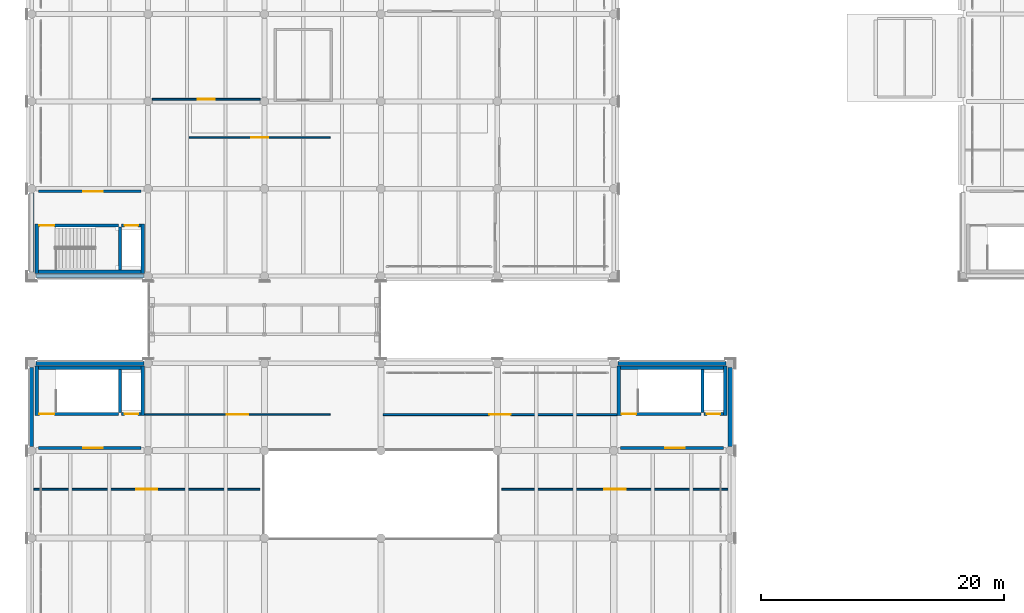
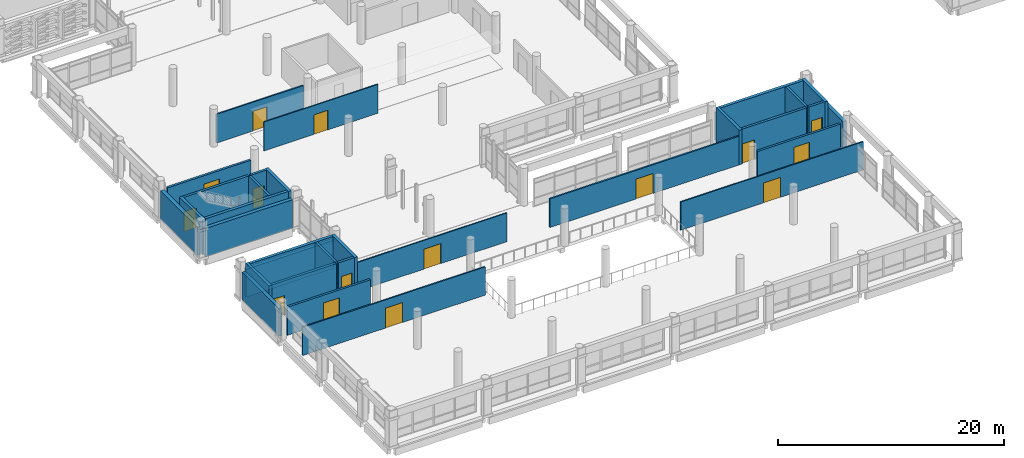
# One storey, part 151 of 180: 33 walls, 15 doors, 15 openings.
"""IFC4 building model written with IfcOpenShell, lengths in metres."""

from ifc_helpers import new_model, si_unit, direction, frame, frame_2d, origin, place, context, subcontext, project, spatial, rectangle, extrude, material, layer, layer_set, type_object, element, fill, save


model = new_model("IFC4")

# Units and contexts
model_context = context("Model", 3, precision=1e-05, world=origin(), true_north=direction((0.0, 1.0)))
body_context = subcontext(model_context, "Body", "Model", "MODEL_VIEW")
ifc_project = project(units=[si_unit("LENGTHUNIT", "METRE"), si_unit("AREAUNIT", "SQUARE_METRE"), si_unit("VOLUMEUNIT", "CUBIC_METRE"), si_unit("PLANEANGLEUNIT", "RADIAN"), si_unit("MASSUNIT", "GRAM", prefix="KILO")], contexts=[model_context])

# Site, building, storey
site_placement = place(None, origin())
site = spatial("IfcSite", under=ifc_project, at=site_placement, CompositionType="ELEMENT")
building_placement = place(site_placement, origin())
building = spatial("IfcBuilding", under=site, at=building_placement, Name="Asteropetra Specialist Clinic", CompositionType="ELEMENT")
storey_placement = place(building_placement, frame((0.0, 0.0, 4.419921875)))
storey = spatial("IfcBuildingStorey", under=building, at=storey_placement, Name="L01", CompositionType="ELEMENT", Elevation=4.419921875)

# Walls
ifc_material_1 = material(Name="Pentelic marble ashlar", Category="masonry")
ifc_layer_1 = layer(ifc_material_1, 0.360107421875)
ifc_layer_set_1 = layer_set([ifc_layer_1], Name="Pentelic marble ashlar")
wall_type_1 = type_object("IfcWallType", Name="EW-PENTELIC-360", PredefinedType="SOLIDWALL", material=ifc_layer_set_1)
wall_1_placement = place(storey_placement, frame((0.35009765625, 33.60009765625, 0.0), z_axis=(0.0, 0.0, 1.0), x_axis=(1.0, 0.0, 0.0)))
element("IfcWall", 1, at=wall_1_placement, inside=storey, type_object=wall_type_1, Name="Exterior Wall EW-0164", PredefinedType="SOLIDWALL", context=body_context, shape_type="SweptSolid", body=[
    extrude(rectangle(XDim=8.89990234375, YDim=0.360107421875, at=frame_2d((4.449951171875, 0.0))), origin(), (0.0, 0.0, 1.0), 3.06005859375),
])
wall_2_placement = place(storey_placement, frame((0.0, 40.449951171875, 0.0), z_axis=(0.0, 0.0, 1.0), x_axis=(0.0, -1.0, 0.0)))
element("IfcWall", 2, at=wall_2_placement, inside=storey, type_object=wall_type_1, Name="Exterior Wall EW-0166", PredefinedType="SOLIDWALL", context=body_context, shape_type="SweptSolid", body=[
    extrude(rectangle(XDim=6.5, YDim=0.360107421875, at=frame_2d((3.25, 0.0))), origin(), (0.0, 0.0, 1.0), 3.06005859375),
])
ifc_material_2 = material(Name="Piraeus poros limestone", Category="masonry")
ifc_layer_2 = layer(ifc_material_2, 0.340087890625)
ifc_layer_set_2 = layer_set([ifc_layer_2], Name="Piraeus poros limestone")
wall_type_2 = type_object("IfcWallType", Name="EW-POROS-340", PredefinedType="SOLIDWALL", material=ifc_layer_set_2)
for number, where, z_axis, x_axis, name in (
    (3, (9.25, 26.39990234375, 0.0), (0.0, 0.0, 1.0), (-1.0, 0.0, 0.0), "Exterior Wall EW-0037"),
    (4, (57.25, 26.39990234375, 0.0), (0.0, 0.0, 1.0), (-1.0, 0.0, 0.0), "Exterior Wall EW-0038"),
):
    element("IfcWall", number, at=place(storey_placement, frame(where, z_axis=z_axis, x_axis=x_axis)), inside=storey, type_object=wall_type_2, Name=name, PredefinedType="SOLIDWALL", context=body_context, shape_type="SweptSolid", body=[
        extrude(rectangle(XDim=8.89990234375, YDim=0.340087890625, at=frame_2d((4.449951171875, 0.0))), origin(), (0.0, 0.0, 1.0), 3.010009765625),
    ])
for number, where, z_axis, x_axis, name in (
    (5, (0.0, 26.050048828125, 0.0), (0.0, 0.0, 1.0), (0.0, -1.0, 0.0), "Exterior Wall EW-0039"),
    (6, (57.60009765625, 19.550048828125, 0.0), (0.0, 0.0, 1.0), (0.0, 1.0, 0.0), "Exterior Wall EW-0040"),
):
    element("IfcWall", number, at=place(storey_placement, frame(where, z_axis=z_axis, x_axis=x_axis)), inside=storey, type_object=wall_type_2, Name=name, PredefinedType="SOLIDWALL", context=body_context, shape_type="SweptSolid", body=[
        extrude(rectangle(XDim=6.5, YDim=0.340087890625, at=frame_2d((3.25, 0.0))), origin(), (0.0, 0.0, 1.0), 3.010009765625),
    ])

# Wall, opening, door
ifc_material_3 = material(Name="Fire-rated masonry and gypsum", Category="masonry")
ifc_layer_3 = layer(ifc_material_3, 0.219970703125)
ifc_layer_set_3 = layer_set([ifc_layer_3], Name="Fire-rated masonry and gypsum")
wall_type_3 = type_object("IfcWallType", Name="W-COMP-220", PredefinedType="PARTITIONING", material=ifc_layer_set_3)
wall_3_placement = place(storey_placement, frame((0.56005859375, 40.580078125, 0.0), z_axis=(0.0, 0.0, 1.0), x_axis=(1.0, 0.0, 0.0)))
wall_3 = element("IfcWall", 7, at=wall_3_placement, inside=storey, type_object=wall_type_3, Name="Core Wall CW-C4-L01-LOB", PredefinedType="PARTITIONING", context=body_context, shape_type="SweptSolid", body=[
    extrude(rectangle(XDim=8.47998046875, YDim=0.219970703125, at=frame_2d((4.239990234375, 0.0))), origin(), (0.0, 0.0, 1.0), 3.110107421875),
])
opening_1_placement = place(wall_3_placement, frame((3.699951171875, 0.0, 0.0)))
opening_1 = element("IfcOpeningElement", 8, at=opening_1_placement, cuts=wall_3, Name="Opening FD-038", PredefinedType="OPENING", context=body_context, shape_type="SweptSolid", body=[
    extrude(rectangle(XDim=1.60009765625, YDim=2.199951171875, at=frame_2d((0.800048828125, 1.10009765625))), frame((0.0, 0.119873046875, 0.0), z_axis=(0.0, -1.0, 0.0), x_axis=(1.0, 0.0, 0.0)), (0.0, 0.0, 1.0), 0.239990234375),
])
ifc_material_4 = material(Name="Fire-rated steel and vision glass door", Category="steel")
door_type_1 = type_object("IfcDoorType", Name="FD-LOBBY-1600", OperationType="DOUBLE_DOOR_SINGLE_SWING", PredefinedType="DOOR", material=ifc_material_4)
door_1_placement = place(opening_1_placement, origin())
door_1 = element("IfcDoor", 9, at=door_1_placement, inside=storey, type_object=door_type_1, Name="Lobby Fire Door FD-038", OperationType="DOUBLE_DOOR_SINGLE_SWING", OverallHeight=2.199951171875, OverallWidth=1.60009765625, PredefinedType="DOOR", context=body_context, shape_type="SweptSolid", body=[
    extrude(rectangle(XDim=1.60009765625, YDim=2.199951171875, at=frame_2d((0.800048828125, 1.10009765625))), frame((0.0, 0.02490234375, 0.0), z_axis=(0.0, -1.0, 0.0), x_axis=(1.0, 0.0, 0.0)), (0.0, 0.0, 1.0), 0.050048828125),
])
fill(opening_1, door_1)

wall_4_placement = place(storey_placement, frame((0.56005859375, 19.419921875, 0.0), z_axis=(0.0, 0.0, 1.0), x_axis=(1.0, 0.0, 0.0)))
wall_4 = element("IfcWall", 10, at=wall_4_placement, inside=storey, type_object=wall_type_3, Name="Core Wall CW-C6-L01-LOB", PredefinedType="PARTITIONING", context=body_context, shape_type="SweptSolid", body=[
    extrude(rectangle(XDim=8.47998046875, YDim=0.219970703125, at=frame_2d((4.239990234375, 0.0))), origin(), (0.0, 0.0, 1.0), 3.050048828125),
])
opening_2_placement = place(wall_4_placement, frame((3.699951171875, 0.0, 0.0)))
opening_2 = element("IfcOpeningElement", 11, at=opening_2_placement, cuts=wall_4, Name="Opening FD-058", PredefinedType="OPENING", context=body_context, shape_type="SweptSolid", body=[
    extrude(rectangle(XDim=1.60009765625, YDim=2.199951171875, at=frame_2d((0.800048828125, 1.10009765625))), frame((0.0, 0.119873046875, 0.0), z_axis=(0.0, -1.0, 0.0), x_axis=(1.0, 0.0, 0.0)), (0.0, 0.0, 1.0), 0.239990234375),
])
door_2_placement = place(opening_2_placement, origin())
door_2 = element("IfcDoor", 12, at=door_2_placement, inside=storey, type_object=door_type_1, Name="Lobby Fire Door FD-058", OperationType="DOUBLE_DOOR_SINGLE_SWING", OverallHeight=2.199951171875, OverallWidth=1.60009765625, PredefinedType="DOOR", context=body_context, shape_type="SweptSolid", body=[
    extrude(rectangle(XDim=1.60009765625, YDim=2.199951171875, at=frame_2d((0.800048828125, 1.10009765625))), frame((0.0, 0.02490234375, 0.0), z_axis=(0.0, -1.0, 0.0), x_axis=(1.0, 0.0, 0.0)), (0.0, 0.0, 1.0), 0.050048828125),
])
fill(opening_2, door_2)

wall_5_placement = place(storey_placement, frame((48.56005859375, 19.419921875, 0.0), z_axis=(0.0, 0.0, 1.0), x_axis=(1.0, 0.0, 0.0)))
wall_5 = element("IfcWall", 13, at=wall_5_placement, inside=storey, type_object=wall_type_3, Name="Core Wall CW-C7-L01-LOB", PredefinedType="PARTITIONING", context=body_context, shape_type="SweptSolid", body=[
    extrude(rectangle(XDim=8.47998046875, YDim=0.219970703125, at=frame_2d((4.239990234375, 0.0))), origin(), (0.0, 0.0, 1.0), 3.050048828125),
])
opening_3_placement = place(wall_5_placement, frame((3.699951171875, 0.0, 0.0)))
opening_3 = element("IfcOpeningElement", 14, at=opening_3_placement, cuts=wall_5, Name="Opening FD-064", PredefinedType="OPENING", context=body_context, shape_type="SweptSolid", body=[
    extrude(rectangle(XDim=1.60009765625, YDim=2.199951171875, at=frame_2d((0.800048828125, 1.10009765625))), frame((0.0, 0.119873046875, 0.0), z_axis=(0.0, -1.0, 0.0), x_axis=(1.0, 0.0, 0.0)), (0.0, 0.0, 1.0), 0.239990234375),
])
door_3_placement = place(opening_3_placement, origin())
door_3 = element("IfcDoor", 15, at=door_3_placement, inside=storey, type_object=door_type_1, Name="Lobby Fire Door FD-064", OperationType="DOUBLE_DOOR_SINGLE_SWING", OverallHeight=2.199951171875, OverallWidth=1.60009765625, PredefinedType="DOOR", context=body_context, shape_type="SweptSolid", body=[
    extrude(rectangle(XDim=1.60009765625, YDim=2.199951171875, at=frame_2d((0.800048828125, 1.10009765625))), frame((0.0, 0.02490234375, 0.0), z_axis=(0.0, -1.0, 0.0), x_axis=(1.0, 0.0, 0.0)), (0.0, 0.0, 1.0), 0.050048828125),
])
fill(opening_3, door_3)

# Walls
ifc_material_5 = material(Name="Concrete C35/45", Category="concrete")
ifc_layer_4 = layer(ifc_material_5, 0.300048828125)
ifc_layer_set_4 = layer_set([ifc_layer_4], Name="Concrete C35/45")
wall_type_4 = type_object("IfcWallType", Name="W-CORE-300", PredefinedType="SHEAR", material=ifc_layer_set_4)
for number, where, z_axis, x_axis, name in (
    (16, (0.419921875, 33.81005859375, 0.0), (0.0, 0.0, 1.0), (0.0, 1.0, 0.0), "Core Wall CW-C4-L01-W"),
    (17, (9.179931640625, 33.81005859375, 0.0), (0.0, 0.0, 1.0), (0.0, 1.0, 0.0), "Core Wall CW-C4-L01-E"),
):
    element("IfcWall", number, at=place(storey_placement, frame(where, z_axis=z_axis, x_axis=x_axis)), inside=storey, type_object=wall_type_4, Name=name, PredefinedType="SHEAR", context=body_context, shape_type="SweptSolid", body=[
        extrude(rectangle(XDim=4.099853515625, YDim=0.300048828125, at=frame_2d((2.0498046875, 0.0))), origin(), (0.0, 0.0, 1.0), 3.780029296875),
    ])
wall_6_placement = place(storey_placement, frame((0.56494140625, 33.9599609375, 0.0), z_axis=(0.0, 0.0, 1.0), x_axis=(1.0, 0.0, 0.0)))
element("IfcWall", 18, at=wall_6_placement, inside=storey, type_object=wall_type_4, Name="Core Wall CW-C4-L01-BACK", PredefinedType="SHEAR", context=body_context, shape_type="SweptSolid", body=[
    extrude(rectangle(XDim=8.469970703125, YDim=0.300048828125, at=frame_2d((4.23486328125, 0.0))), origin(), (0.0, 0.0, 1.0), 3.780029296875),
])
for number, where, z_axis, x_axis, name in (
    (19, (0.419921875, 22.090087890625, 0.0), (0.0, 0.0, 1.0), (0.0, 1.0, 0.0), "Core Wall CW-C6-L01-W"),
    (20, (9.179931640625, 22.090087890625, 0.0), (0.0, 0.0, 1.0), (0.0, 1.0, 0.0), "Core Wall CW-C6-L01-E"),
):
    element("IfcWall", number, at=place(storey_placement, frame(where, z_axis=z_axis, x_axis=x_axis)), inside=storey, type_object=wall_type_4, Name=name, PredefinedType="SHEAR", context=body_context, shape_type="SweptSolid", body=[
        extrude(rectangle(XDim=4.099853515625, YDim=0.300048828125, at=frame_2d((2.0498046875, 0.0))), origin(), (0.0, 0.0, 1.0), 3.739990234375),
    ])
wall_7_placement = place(storey_placement, frame((0.56494140625, 26.0400390625, 0.0), z_axis=(0.0, 0.0, 1.0), x_axis=(1.0, 0.0, 0.0)))
element("IfcWall", 21, at=wall_7_placement, inside=storey, type_object=wall_type_4, Name="Core Wall CW-C6-L01-BACK", PredefinedType="SHEAR", context=body_context, shape_type="SweptSolid", body=[
    extrude(rectangle(XDim=8.469970703125, YDim=0.300048828125, at=frame_2d((4.23486328125, 0.0))), origin(), (0.0, 0.0, 1.0), 3.739990234375),
])
for number, where, z_axis, x_axis, name in (
    (22, (48.419921875, 22.090087890625, 0.0), (0.0, 0.0, 1.0), (0.0, 1.0, 0.0), "Core Wall CW-C7-L01-W"),
    (23, (57.179931640625, 22.090087890625, 0.0), (0.0, 0.0, 1.0), (0.0, 1.0, 0.0), "Core Wall CW-C7-L01-E"),
):
    element("IfcWall", number, at=place(storey_placement, frame(where, z_axis=z_axis, x_axis=x_axis)), inside=storey, type_object=wall_type_4, Name=name, PredefinedType="SHEAR", context=body_context, shape_type="SweptSolid", body=[
        extrude(rectangle(XDim=4.099853515625, YDim=0.300048828125, at=frame_2d((2.0498046875, 0.0))), origin(), (0.0, 0.0, 1.0), 3.739990234375),
    ])
wall_8_placement = place(storey_placement, frame((48.56494140625, 26.0400390625, 0.0), z_axis=(0.0, 0.0, 1.0), x_axis=(1.0, 0.0, 0.0)))
element("IfcWall", 24, at=wall_8_placement, inside=storey, type_object=wall_type_4, Name="Core Wall CW-C7-L01-BACK", PredefinedType="SHEAR", context=body_context, shape_type="SweptSolid", body=[
    extrude(rectangle(XDim=8.469970703125, YDim=0.300048828125, at=frame_2d((4.23486328125, 0.0))), origin(), (0.0, 0.0, 1.0), 3.739990234375),
])

# Wall, opening, door
ifc_material_6 = material(Name="Light partition", Category="masonry")
ifc_layer_5 = layer(ifc_material_6, 0.1201171875)
ifc_layer_set_5 = layer_set([ifc_layer_5], Name="Light partition")
wall_type_5 = type_object("IfcWallType", Name="W-PART-120", PredefinedType="PARTITIONING", material=ifc_layer_set_5)
wall_9_placement = place(storey_placement, frame((9.33203125, 22.179931640625, 0.0), z_axis=(0.0, 0.0, 1.0), x_axis=(1.0, 0.0, 0.0)))
wall_9 = element("IfcWall", 25, at=wall_9_placement, inside=storey, type_object=wall_type_5, Name="Interior Partition PW-0099", PredefinedType="PARTITIONING", context=body_context, shape_type="SweptSolid", body=[
    extrude(rectangle(XDim=15.2880859375, YDim=0.1201171875, at=frame_2d((7.64404296875, 0.0))), origin(), (0.0, 0.0, 1.0), 3.10009765625),
])
opening_4_placement = place(wall_9_placement, frame((6.76904296875, 0.0, 0.0)))
opening_4 = element("IfcOpeningElement", 26, at=opening_4_placement, cuts=wall_9, Name="Opening ID-0059", PredefinedType="OPENING", context=body_context, shape_type="SweptSolid", body=[
    extrude(rectangle(XDim=1.75, YDim=2.14990234375, at=frame_2d((0.875, 1.074951171875))), frame((0.0, 0.070068359375, 0.0), z_axis=(0.0, -1.0, 0.0), x_axis=(1.0, 0.0, 0.0)), (0.0, 0.0, 1.0), 0.14013671875),
])
ifc_material_7 = material(Name="Antimicrobial laminate timber leaf in steel frame", Category="steel")
door_type_2 = type_object("IfcDoorType", Name="ID-IMG-1750", OperationType="DOUBLE_DOOR_SINGLE_SWING", PredefinedType="DOOR", material=ifc_material_7)
door_4_placement = place(opening_4_placement, origin())
door_4 = element("IfcDoor", 27, at=door_4_placement, inside=storey, type_object=door_type_2, Name="Interior Door ID-0059", OperationType="DOUBLE_DOOR_SINGLE_SWING", OverallHeight=2.14990234375, OverallWidth=1.75, PredefinedType="DOOR", context=body_context, shape_type="SweptSolid", body=[
    extrude(rectangle(XDim=1.75, YDim=2.14990234375, at=frame_2d((0.875, 1.074951171875))), frame((0.0, 0.02490234375, 0.0), z_axis=(0.0, -1.0, 0.0), x_axis=(1.0, 0.0, 0.0)), (0.0, 0.0, 1.0), 0.050048828125),
])
fill(opening_4, door_4)

wall_10_placement = place(storey_placement, frame((12.97998046875, 45.02001953125, 0.0), z_axis=(0.0, 0.0, 1.0), x_axis=(1.0, 0.0, 0.0)))
wall_10 = element("IfcWall", 28, at=wall_10_placement, inside=storey, type_object=wall_type_5, Name="Interior Partition PW-0109", PredefinedType="PARTITIONING", context=body_context, shape_type="SweptSolid", body=[
    extrude(rectangle(XDim=11.64013671875, YDim=0.1201171875, at=frame_2d((5.820068359375, 0.0))), origin(), (0.0, 0.0, 1.0), 3.1201171875),
])
opening_5_placement = place(wall_10_placement, frame((5.1201171875, 0.0, 0.0)))
opening_5 = element("IfcOpeningElement", 29, at=opening_5_placement, cuts=wall_10, Name="Opening ID-0069", PredefinedType="OPENING", context=body_context, shape_type="SweptSolid", body=[
    extrude(rectangle(XDim=1.39990234375, YDim=2.1201171875, at=frame_2d((0.699951171875, 1.06005859375))), frame((0.0, 0.070068359375, 0.0), z_axis=(0.0, -1.0, 0.0), x_axis=(1.0, 0.0, 0.0)), (0.0, 0.0, 1.0), 0.14013671875),
])
ifc_material_8 = material(Name="Antimicrobial laminate timber leaf in steel frame", Category="steel")
door_type_3 = type_object("IfcDoorType", Name="ID-WARD-1400", OperationType="NOTDEFINED", PredefinedType="DOOR", material=ifc_material_8)
door_5_placement = place(opening_5_placement, origin())
door_5 = element("IfcDoor", 30, at=door_5_placement, inside=storey, type_object=door_type_3, Name="Interior Door ID-0069", OperationType="SINGLE_SWING_RIGHT", OverallHeight=2.1201171875, OverallWidth=1.39990234375, PredefinedType="DOOR", context=body_context, shape_type="SweptSolid", body=[
    extrude(rectangle(XDim=1.39990234375, YDim=2.1201171875, at=frame_2d((0.699951171875, 1.06005859375))), frame((0.0, 0.02490234375, 0.0), z_axis=(0.0, -1.0, 0.0), x_axis=(1.0, 0.0, 0.0)), (0.0, 0.0, 1.0), 0.050048828125),
])
fill(opening_5, door_5)

ifc_material_9 = material(Name="Office and seminar partition", Category="masonry")
ifc_layer_6 = layer(ifc_material_9, 0.1298828125)
ifc_layer_set_6 = layer_set([ifc_layer_6], Name="Office and seminar partition")
wall_type_6 = type_object("IfcWallType", Name="W-PART-130", PredefinedType="PARTITIONING", material=ifc_layer_set_6)
wall_11_placement = place(storey_placement, frame((38.780029296875, 16.02001953125, 0.0), z_axis=(0.0, 0.0, 1.0), x_axis=(1.0, 0.0, 0.0)))
wall_11 = element("IfcWall", 31, at=wall_11_placement, inside=storey, type_object=wall_type_6, Name="Interior Partition PW-0098", PredefinedType="PARTITIONING", context=body_context, shape_type="SweptSolid", body=[
    extrude(rectangle(XDim=18.639892578125, YDim=0.1298828125, at=frame_2d((9.31982421875, 0.0))), origin(), (0.0, 0.0, 1.0), 3.050048828125),
])
opening_6_placement = place(wall_11_placement, frame((8.445068359375, 0.0, 0.0)))
opening_6 = element("IfcOpeningElement", 32, at=opening_6_placement, cuts=wall_11, Name="Opening ID-0058", PredefinedType="OPENING", context=body_context, shape_type="SweptSolid", body=[
    extrude(rectangle(XDim=1.75, YDim=2.14990234375, at=frame_2d((0.875, 1.074951171875))), frame((0.0, 0.074951171875, 0.0), z_axis=(0.0, -1.0, 0.0), x_axis=(1.0, 0.0, 0.0)), (0.0, 0.0, 1.0), 0.14990234375),
])
door_6_placement = place(opening_6_placement, origin())
door_6 = element("IfcDoor", 33, at=door_6_placement, inside=storey, type_object=door_type_2, Name="Interior Door ID-0058", OperationType="DOUBLE_DOOR_SINGLE_SWING", OverallHeight=2.14990234375, OverallWidth=1.75, PredefinedType="DOOR", context=body_context, shape_type="SweptSolid", body=[
    extrude(rectangle(XDim=1.75, YDim=2.14990234375, at=frame_2d((0.875, 1.074951171875))), frame((0.0, 0.02490234375, 0.0), z_axis=(0.0, -1.0, 0.0), x_axis=(1.0, 0.0, 0.0)), (0.0, 0.0, 1.0), 0.050048828125),
])
fill(opening_6, door_6)

ifc_material_10 = material(Name="Laboratory partition", Category="masonry")
ifc_layer_7 = layer(ifc_material_10, 0.139892578125)
ifc_layer_set_7 = layer_set([ifc_layer_7], Name="Laboratory partition")
wall_type_7 = type_object("IfcWallType", Name="W-PART-140", PredefinedType="PARTITIONING", material=ifc_layer_set_7)
wall_12_placement = place(storey_placement, frame((0.179931640625, 16.02001953125, 0.0), z_axis=(0.0, 0.0, 1.0), x_axis=(1.0, 0.0, 0.0)))
wall_12 = element("IfcWall", 34, at=wall_12_placement, inside=storey, type_object=wall_type_7, Name="Interior Partition PW-0097", PredefinedType="PARTITIONING", context=body_context, shape_type="SweptSolid", body=[
    extrude(rectangle(XDim=18.64013671875, YDim=0.139892578125, at=frame_2d((9.320068359375, 0.0))), origin(), (0.0, 0.0, 1.0), 3.050048828125),
])
opening_7_placement = place(wall_12_placement, frame((8.445068359375, 0.0, 0.0)))
opening_7 = element("IfcOpeningElement", 35, at=opening_7_placement, cuts=wall_12, Name="Opening ID-0057", PredefinedType="OPENING", context=body_context, shape_type="SweptSolid", body=[
    extrude(rectangle(XDim=1.75, YDim=2.14990234375, at=frame_2d((0.875, 1.074951171875))), frame((0.0, 0.079833984375, 0.0), z_axis=(0.0, -1.0, 0.0), x_axis=(1.0, 0.0, 0.0)), (0.0, 0.0, 1.0), 0.159912109375),
])
door_7_placement = place(opening_7_placement, origin())
door_7 = element("IfcDoor", 36, at=door_7_placement, inside=storey, type_object=door_type_2, Name="Interior Door ID-0057", OperationType="DOUBLE_DOOR_SINGLE_SWING", OverallHeight=2.14990234375, OverallWidth=1.75, PredefinedType="DOOR", context=body_context, shape_type="SweptSolid", body=[
    extrude(rectangle(XDim=1.75, YDim=2.14990234375, at=frame_2d((0.875, 1.074951171875))), frame((0.0, 0.02490234375, 0.0), z_axis=(0.0, -1.0, 0.0), x_axis=(1.0, 0.0, 0.0)), (0.0, 0.0, 1.0), 0.050048828125),
])
fill(opening_7, door_7)

wall_13_placement = place(storey_placement, frame((9.955078125, 48.179931640625, 0.0), z_axis=(0.0, 0.0, 1.0), x_axis=(1.0, 0.0, 0.0)))
wall_13 = element("IfcWall", 37, at=wall_13_placement, inside=storey, type_object=wall_type_7, Name="Interior Partition PW-0112", PredefinedType="PARTITIONING", context=body_context, shape_type="SweptSolid", body=[
    extrude(rectangle(XDim=8.889892578125, YDim=0.139892578125, at=frame_2d((4.44482421875, 0.0))), origin(), (0.0, 0.0, 1.0), 3.110107421875),
])
opening_8_placement = place(wall_13_placement, frame((3.7451171875, 0.0, 0.0)))
opening_8 = element("IfcOpeningElement", 38, at=opening_8_placement, cuts=wall_13, Name="Opening ID-0072", PredefinedType="OPENING", context=body_context, shape_type="SweptSolid", body=[
    extrude(rectangle(XDim=1.39990234375, YDim=2.1201171875, at=frame_2d((0.699951171875, 1.06005859375))), frame((0.0, 0.079833984375, 0.0), z_axis=(0.0, -1.0, 0.0), x_axis=(1.0, 0.0, 0.0)), (0.0, 0.0, 1.0), 0.159912109375),
])
door_8_placement = place(opening_8_placement, origin())
door_8 = element("IfcDoor", 39, at=door_8_placement, inside=storey, type_object=door_type_3, Name="Interior Door ID-0072", OperationType="SINGLE_SWING_LEFT", OverallHeight=2.1201171875, OverallWidth=1.39990234375, PredefinedType="DOOR", context=body_context, shape_type="SweptSolid", body=[
    extrude(rectangle(XDim=1.39990234375, YDim=2.1201171875, at=frame_2d((0.699951171875, 1.06005859375))), frame((0.0, 0.02490234375, 0.0), z_axis=(0.0, -1.0, 0.0), x_axis=(1.0, 0.0, 0.0)), (0.0, 0.0, 1.0), 0.050048828125),
])
fill(opening_8, door_8)

ifc_material_11 = material(Name="Acoustic clinical stud partition", Category="masonry")
ifc_layer_8 = layer(ifc_material_11, 0.159912109375)
ifc_layer_set_8 = layer_set([ifc_layer_8], Name="Acoustic clinical stud partition")
wall_type_8 = type_object("IfcWallType", Name="W-PART-160", PredefinedType="PARTITIONING", material=ifc_layer_set_8)
wall_14_placement = place(storey_placement, frame((28.97998046875, 22.179931640625, 0.0), z_axis=(0.0, 0.0, 1.0), x_axis=(1.0, 0.0, 0.0)))
wall_14 = element("IfcWall", 40, at=wall_14_placement, inside=storey, type_object=wall_type_8, Name="Interior Partition PW-0100", PredefinedType="PARTITIONING", context=body_context, shape_type="SweptSolid", body=[
    extrude(rectangle(XDim=19.2880859375, YDim=0.159912109375, at=frame_2d((9.64404296875, 0.0))), origin(), (0.0, 0.0, 1.0), 3.10009765625),
])
opening_9_placement = place(wall_14_placement, frame((8.76904296875, 0.0, 0.0)))
opening_9 = element("IfcOpeningElement", 41, at=opening_9_placement, cuts=wall_14, Name="Opening ID-0060", PredefinedType="OPENING", context=body_context, shape_type="SweptSolid", body=[
    extrude(rectangle(XDim=1.75, YDim=2.14990234375, at=frame_2d((0.875, 1.074951171875))), frame((0.0, 0.08984375, 0.0), z_axis=(0.0, -1.0, 0.0), x_axis=(1.0, 0.0, 0.0)), (0.0, 0.0, 1.0), 0.179931640625),
])
door_9_placement = place(opening_9_placement, origin())
door_9 = element("IfcDoor", 42, at=door_9_placement, inside=storey, type_object=door_type_2, Name="Interior Door ID-0060", OperationType="DOUBLE_DOOR_SINGLE_SWING", OverallHeight=2.14990234375, OverallWidth=1.75, PredefinedType="DOOR", context=body_context, shape_type="SweptSolid", body=[
    extrude(rectangle(XDim=1.75, YDim=2.14990234375, at=frame_2d((0.875, 1.074951171875))), frame((0.0, 0.02490234375, 0.0), z_axis=(0.0, -1.0, 0.0), x_axis=(1.0, 0.0, 0.0)), (0.0, 0.0, 1.0), 0.050048828125),
])
fill(opening_9, door_9)

# Wall
ifc_material_12 = material(Name="Concrete C35/45", Category="concrete")
ifc_layer_9 = layer(ifc_material_12, 0.25)
ifc_layer_set_9 = layer_set([ifc_layer_9], Name="Concrete C35/45")
wall_type_9 = type_object("IfcWallType", Name="W-SHAFT-250", PredefinedType="SHEAR", material=ifc_layer_set_9)
wall_15_placement = place(storey_placement, frame((7.300048828125, 34.110107421875, 0.0), z_axis=(0.0, 0.0, 1.0), x_axis=(0.0, 1.0, 0.0)))
element("IfcWall", 43, at=wall_15_placement, inside=storey, type_object=wall_type_9, Name="Core Wall CW-C4-L01-MID", PredefinedType="SHEAR", context=body_context, shape_type="SweptSolid", body=[
    extrude(rectangle(XDim=3.52978515625, YDim=0.25, at=frame_2d((1.764892578125, 0.0))), origin(), (0.0, 0.0, 1.0), 3.780029296875),
])

# Wall, opening, door
wall_16_placement = place(storey_placement, frame((0.56494140625, 37.760009765625, 0.0), z_axis=(0.0, 0.0, 1.0), x_axis=(1.0, 0.0, 0.0)))
wall_16 = element("IfcWall", 44, at=wall_16_placement, inside=storey, type_object=wall_type_9, Name="Core Wall CW-C4-L01-STDIV", PredefinedType="SHEAR", context=body_context, shape_type="SweptSolid", body=[
    extrude(rectangle(XDim=6.614990234375, YDim=0.25, at=frame_2d((3.3076171875, 0.0))), origin(), (0.0, 0.0, 1.0), 3.780029296875),
])
opening_10_placement = place(wall_16_placement, frame((0.080078125, 0.0, 0.0)))
opening_10 = element("IfcOpeningElement", 45, at=opening_10_placement, cuts=wall_16, Name="Opening FD-037", PredefinedType="OPENING", context=body_context, shape_type="SweptSolid", body=[
    extrude(rectangle(XDim=1.239990234375, YDim=2.14990234375, at=frame_2d((0.6201171875, 1.074951171875))), frame((0.0, 0.135009765625, 0.0), z_axis=(0.0, -1.0, 0.0), x_axis=(1.0, 0.0, 0.0)), (0.0, 0.0, 1.0), 0.27001953125),
])
ifc_material_13 = material(Name="Fire-rated steel and vision glass door", Category="steel")
door_type_4 = type_object("IfcDoorType", Name="FD-STAIR-1400", OperationType="DOUBLE_DOOR_SINGLE_SWING", PredefinedType="DOOR", material=ifc_material_13)
door_10_placement = place(opening_10_placement, origin())
door_10 = element("IfcDoor", 46, at=door_10_placement, inside=storey, type_object=door_type_4, Name="Stair Fire Door FD-037", OperationType="DOUBLE_DOOR_SINGLE_SWING", OverallHeight=2.14990234375, OverallWidth=1.239990234375, PredefinedType="DOOR", context=body_context, shape_type="SweptSolid", body=[
    extrude(rectangle(XDim=1.239990234375, YDim=2.14990234375, at=frame_2d((0.6201171875, 1.074951171875))), frame((0.0, 0.02490234375, 0.0), z_axis=(0.0, -1.0, 0.0), x_axis=(1.0, 0.0, 0.0)), (0.0, 0.0, 1.0), 0.050048828125),
])
fill(opening_10, door_10)

wall_17_placement = place(storey_placement, frame((7.419921875, 37.760009765625, 0.0), z_axis=(0.0, 0.0, 1.0), x_axis=(1.0, 0.0, 0.0)))
wall_17 = element("IfcWall", 47, at=wall_17_placement, inside=storey, type_object=wall_type_9, Name="Lift Shaft Front Wall CW-C4-L01-LFTF", PredefinedType="SHEAR", context=body_context, shape_type="SweptSolid", body=[
    extrude(rectangle(XDim=1.614990234375, YDim=0.25, at=frame_2d((0.8076171875, 0.0))), origin(), (0.0, 0.0, 1.0), 3.780029296875),
])
opening_11_placement = place(wall_17_placement, frame((0.257568359375, 0.0, 0.0)))
opening_11 = element("IfcOpeningElement", 48, at=opening_11_placement, cuts=wall_17, Name="Opening LD-019", PredefinedType="OPENING", context=body_context, shape_type="SweptSolid", body=[
    extrude(rectangle(XDim=1.10009765625, YDim=2.14990234375, at=frame_2d((0.550048828125, 1.074951171875))), frame((0.0, 0.135009765625, 0.0), z_axis=(0.0, -1.0, 0.0), x_axis=(1.0, 0.0, 0.0)), (0.0, 0.0, 1.0), 0.27001953125),
])
ifc_material_14 = material(Name="Brushed stainless steel sliding lift landing door", Category="steel")
door_type_5 = type_object("IfcDoorType", Name="LD-PASS-1100", OperationType="DOUBLE_DOOR_SLIDING", PredefinedType="DOOR", material=ifc_material_14)
door_11_placement = place(opening_11_placement, origin())
door_11 = element("IfcDoor", 49, at=door_11_placement, inside=storey, type_object=door_type_5, Name="Lift Landing Door LD-019", OperationType="DOUBLE_DOOR_SLIDING", OverallHeight=2.14990234375, OverallWidth=1.10009765625, PredefinedType="DOOR", context=body_context, shape_type="SweptSolid", body=[
    extrude(rectangle(XDim=1.10009765625, YDim=2.14990234375, at=frame_2d((0.550048828125, 1.074951171875))), frame((0.0, 0.02490234375, 0.0), z_axis=(0.0, -1.0, 0.0), x_axis=(1.0, 0.0, 0.0)), (0.0, 0.0, 1.0), 0.050048828125),
])
fill(opening_11, door_11)

# Wall
wall_18_placement = place(storey_placement, frame((7.300048828125, 22.360107421875, 0.0), z_axis=(0.0, 0.0, 1.0), x_axis=(0.0, 1.0, 0.0)))
element("IfcWall", 50, at=wall_18_placement, inside=storey, type_object=wall_type_9, Name="Core Wall CW-C6-L01-MID", PredefinedType="SHEAR", context=body_context, shape_type="SweptSolid", body=[
    extrude(rectangle(XDim=3.52978515625, YDim=0.25, at=frame_2d((1.764892578125, 0.0))), origin(), (0.0, 0.0, 1.0), 3.739990234375),
])

# Wall, opening, door
wall_19_placement = place(storey_placement, frame((0.56494140625, 22.239990234375, 0.0), z_axis=(0.0, 0.0, 1.0), x_axis=(1.0, 0.0, 0.0)))
wall_19 = element("IfcWall", 51, at=wall_19_placement, inside=storey, type_object=wall_type_9, Name="Core Wall CW-C6-L01-STDIV", PredefinedType="SHEAR", context=body_context, shape_type="SweptSolid", body=[
    extrude(rectangle(XDim=6.614990234375, YDim=0.25, at=frame_2d((3.3076171875, 0.0))), origin(), (0.0, 0.0, 1.0), 3.739990234375),
])
opening_12_placement = place(wall_19_placement, frame((0.080078125, 0.0, 0.0)))
opening_12 = element("IfcOpeningElement", 52, at=opening_12_placement, cuts=wall_19, Name="Opening FD-057", PredefinedType="OPENING", context=body_context, shape_type="SweptSolid", body=[
    extrude(rectangle(XDim=1.239990234375, YDim=2.14990234375, at=frame_2d((0.6201171875, 1.074951171875))), frame((0.0, 0.135009765625, 0.0), z_axis=(0.0, -1.0, 0.0), x_axis=(1.0, 0.0, 0.0)), (0.0, 0.0, 1.0), 0.27001953125),
])
door_12_placement = place(opening_12_placement, origin())
door_12 = element("IfcDoor", 53, at=door_12_placement, inside=storey, type_object=door_type_4, Name="Stair Fire Door FD-057", OperationType="DOUBLE_DOOR_SINGLE_SWING", OverallHeight=2.14990234375, OverallWidth=1.239990234375, PredefinedType="DOOR", context=body_context, shape_type="SweptSolid", body=[
    extrude(rectangle(XDim=1.239990234375, YDim=2.14990234375, at=frame_2d((0.6201171875, 1.074951171875))), frame((0.0, 0.02490234375, 0.0), z_axis=(0.0, -1.0, 0.0), x_axis=(1.0, 0.0, 0.0)), (0.0, 0.0, 1.0), 0.050048828125),
])
fill(opening_12, door_12)

wall_20_placement = place(storey_placement, frame((7.419921875, 22.239990234375, 0.0), z_axis=(0.0, 0.0, 1.0), x_axis=(1.0, 0.0, 0.0)))
wall_20 = element("IfcWall", 54, at=wall_20_placement, inside=storey, type_object=wall_type_9, Name="Lift Shaft Front Wall CW-C6-L01-LFTF", PredefinedType="SHEAR", context=body_context, shape_type="SweptSolid", body=[
    extrude(rectangle(XDim=1.614990234375, YDim=0.25, at=frame_2d((0.8076171875, 0.0))), origin(), (0.0, 0.0, 1.0), 3.739990234375),
])
opening_13_placement = place(wall_20_placement, frame((0.257568359375, 0.0, 0.0)))
opening_13 = element("IfcOpeningElement", 55, at=opening_13_placement, cuts=wall_20, Name="Opening LD-029", PredefinedType="OPENING", context=body_context, shape_type="SweptSolid", body=[
    extrude(rectangle(XDim=1.10009765625, YDim=2.14990234375, at=frame_2d((0.550048828125, 1.074951171875))), frame((0.0, 0.135009765625, 0.0), z_axis=(0.0, -1.0, 0.0), x_axis=(1.0, 0.0, 0.0)), (0.0, 0.0, 1.0), 0.27001953125),
])
door_13_placement = place(opening_13_placement, origin())
door_13 = element("IfcDoor", 56, at=door_13_placement, inside=storey, type_object=door_type_5, Name="Lift Landing Door LD-029", OperationType="DOUBLE_DOOR_SLIDING", OverallHeight=2.14990234375, OverallWidth=1.10009765625, PredefinedType="DOOR", context=body_context, shape_type="SweptSolid", body=[
    extrude(rectangle(XDim=1.10009765625, YDim=2.14990234375, at=frame_2d((0.550048828125, 1.074951171875))), frame((0.0, 0.02490234375, 0.0), z_axis=(0.0, -1.0, 0.0), x_axis=(1.0, 0.0, 0.0)), (0.0, 0.0, 1.0), 0.050048828125),
])
fill(opening_13, door_13)

# Wall
wall_21_placement = place(storey_placement, frame((55.300048828125, 22.360107421875, 0.0), z_axis=(0.0, 0.0, 1.0), x_axis=(0.0, 1.0, 0.0)))
element("IfcWall", 57, at=wall_21_placement, inside=storey, type_object=wall_type_9, Name="Core Wall CW-C7-L01-MID", PredefinedType="SHEAR", context=body_context, shape_type="SweptSolid", body=[
    extrude(rectangle(XDim=3.52978515625, YDim=0.25, at=frame_2d((1.764892578125, 0.0))), origin(), (0.0, 0.0, 1.0), 3.739990234375),
])

# Wall, opening, door
wall_22_placement = place(storey_placement, frame((48.56494140625, 22.239990234375, 0.0), z_axis=(0.0, 0.0, 1.0), x_axis=(1.0, 0.0, 0.0)))
wall_22 = element("IfcWall", 58, at=wall_22_placement, inside=storey, type_object=wall_type_9, Name="Core Wall CW-C7-L01-STDIV", PredefinedType="SHEAR", context=body_context, shape_type="SweptSolid", body=[
    extrude(rectangle(XDim=6.614990234375, YDim=0.25, at=frame_2d((3.3076171875, 0.0))), origin(), (0.0, 0.0, 1.0), 3.739990234375),
])
opening_14_placement = place(wall_22_placement, frame((0.080078125, 0.0, 0.0)))
opening_14 = element("IfcOpeningElement", 59, at=opening_14_placement, cuts=wall_22, Name="Opening FD-063", PredefinedType="OPENING", context=body_context, shape_type="SweptSolid", body=[
    extrude(rectangle(XDim=1.199951171875, YDim=2.14990234375, at=frame_2d((0.60009765625, 1.074951171875))), frame((0.0, 0.135009765625, 0.0), z_axis=(0.0, -1.0, 0.0), x_axis=(1.0, 0.0, 0.0)), (0.0, 0.0, 1.0), 0.27001953125),
])
ifc_material_15 = material(Name="Fire-rated steel and vision glass door", Category="steel")
door_type_6 = type_object("IfcDoorType", Name="FD-STAIR-1350", OperationType="DOUBLE_DOOR_SINGLE_SWING", PredefinedType="DOOR", material=ifc_material_15)
door_14_placement = place(opening_14_placement, origin())
door_14 = element("IfcDoor", 60, at=door_14_placement, inside=storey, type_object=door_type_6, Name="Stair Fire Door FD-063", OperationType="DOUBLE_DOOR_SINGLE_SWING", OverallHeight=2.14990234375, OverallWidth=1.199951171875, PredefinedType="DOOR", context=body_context, shape_type="SweptSolid", body=[
    extrude(rectangle(XDim=1.199951171875, YDim=2.14990234375, at=frame_2d((0.60009765625, 1.074951171875))), frame((0.0, 0.02490234375, 0.0), z_axis=(0.0, -1.0, 0.0), x_axis=(1.0, 0.0, 0.0)), (0.0, 0.0, 1.0), 0.050048828125),
])
fill(opening_14, door_14)

wall_23_placement = place(storey_placement, frame((55.419921875, 22.239990234375, 0.0), z_axis=(0.0, 0.0, 1.0), x_axis=(1.0, 0.0, 0.0)))
wall_23 = element("IfcWall", 61, at=wall_23_placement, inside=storey, type_object=wall_type_9, Name="Lift Shaft Front Wall CW-C7-L01-LFTF", PredefinedType="SHEAR", context=body_context, shape_type="SweptSolid", body=[
    extrude(rectangle(XDim=1.614990234375, YDim=0.25, at=frame_2d((0.8076171875, 0.0))), origin(), (0.0, 0.0, 1.0), 3.739990234375),
])
opening_15_placement = place(wall_23_placement, frame((0.257568359375, 0.0, 0.0)))
opening_15 = element("IfcOpeningElement", 62, at=opening_15_placement, cuts=wall_23, Name="Opening LD-032", PredefinedType="OPENING", context=body_context, shape_type="SweptSolid", body=[
    extrude(rectangle(XDim=1.10009765625, YDim=2.14990234375, at=frame_2d((0.550048828125, 1.074951171875))), frame((0.0, 0.135009765625, 0.0), z_axis=(0.0, -1.0, 0.0), x_axis=(1.0, 0.0, 0.0)), (0.0, 0.0, 1.0), 0.27001953125),
])
door_15_placement = place(opening_15_placement, origin())
door_15 = element("IfcDoor", 63, at=door_15_placement, inside=storey, type_object=door_type_5, Name="Lift Landing Door LD-032", OperationType="DOUBLE_DOOR_SLIDING", OverallHeight=2.14990234375, OverallWidth=1.10009765625, PredefinedType="DOOR", context=body_context, shape_type="SweptSolid", body=[
    extrude(rectangle(XDim=1.10009765625, YDim=2.14990234375, at=frame_2d((0.550048828125, 1.074951171875))), frame((0.0, 0.02490234375, 0.0), z_axis=(0.0, -1.0, 0.0), x_axis=(1.0, 0.0, 0.0)), (0.0, 0.0, 1.0), 0.050048828125),
])
fill(opening_15, door_15)

save(model, "model.ifc")
